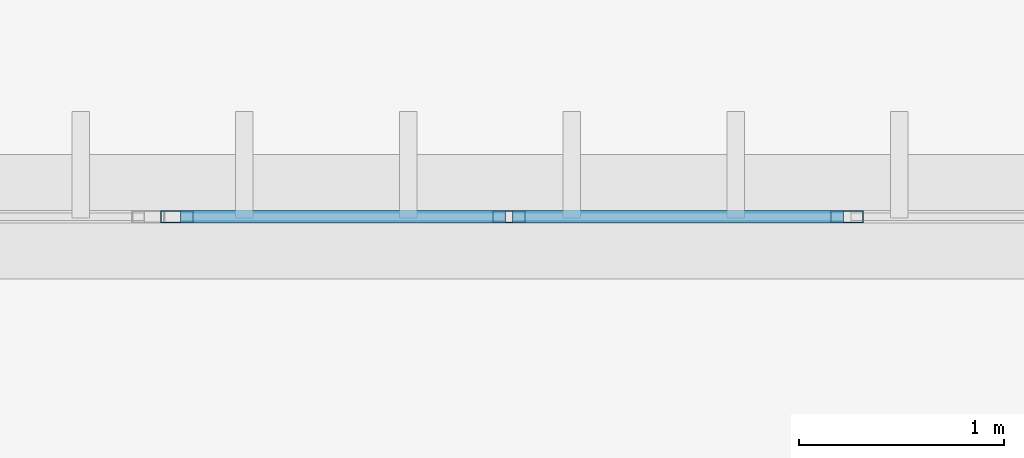
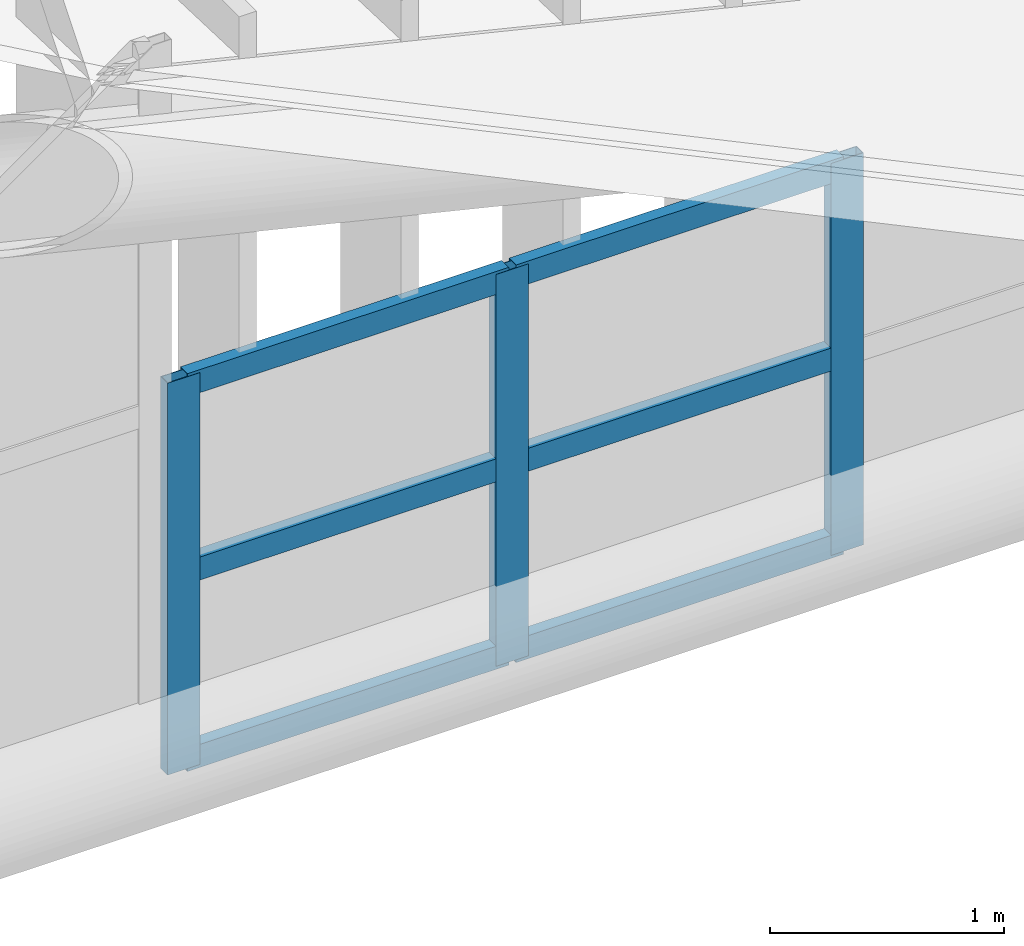
# One storey, part 353 of 397: 9 members, 1 element without a shape of its own.
"""IFC4 building model written with IfcOpenShell, lengths in metres."""

from ifc_helpers import new_model, si_unit, direction, frame, origin, origin_2d, place, context, subcontext, project, spatial, hollow_rectangle, extrude, material, material_profile, profile_set, type_object, element, aggregate, save


model = new_model("IFC4")

# Units and contexts
model_context = context("Model", 3, precision=1e-05, world=origin(), true_north=direction((0.0, 1.0)))
body_context = subcontext(model_context, "Body", "Model", "MODEL_VIEW")
ifc_project = project(units=[si_unit("LENGTHUNIT", "METRE"), si_unit("AREAUNIT", "SQUARE_METRE"), si_unit("VOLUMEUNIT", "CUBIC_METRE"), si_unit("PLANEANGLEUNIT", "RADIAN"), si_unit("MASSUNIT", "GRAM", prefix="KILO")], contexts=[model_context])

# Site, building, storey
site_placement = place(None, origin())
site = spatial("IfcSite", under=ifc_project, at=site_placement, CompositionType="ELEMENT")
building_placement = place(site_placement, origin())
building = spatial("IfcBuilding", under=site, at=building_placement, Name="Qandorah Velis Arena", CompositionType="ELEMENT")
storey_placement = place(building_placement, frame((0.0, 0.0, 27.5)))
storey = spatial("IfcBuildingStorey", under=building, at=storey_placement, Name="RF", CompositionType="ELEMENT", Elevation=27.5)

# Curtain wall, members
ifc_material_1 = material(Name="Solar-control low-E double glazing", Category="glass")
curtain_wall_type = type_object("IfcCurtainWallType", Name="ARC-CW-SYS08", PredefinedType="USERDEFINED", material=ifc_material_1)
curtain_wall_placement = place(storey_placement, origin())
curtain_wall = element("IfcCurtainWall", 1, at=curtain_wall_placement, inside=storey, type_object=curtain_wall_type, Name="Unitised curtain wall CROWN-4-07S2", ObjectType="UNITISED CURTAIN WALL", PredefinedType="USERDEFINED")
ifc_material_2 = material(Name="Champagne-bronze anodized aluminium 6063-T6", Category="aluminium")
ifc_material_profile_1 = material_profile(ifc_material_2, hollow_rectangle(XDim=0.06005859375, YDim=0.159912109375, WallThickness=0.00341796875, at=origin_2d()), Name="ALU MULLION 60x160")
ifc_profile_set_1 = profile_set([ifc_material_profile_1], Name="Champagne-bronze anodized aluminium 6063-T6")
member_type_1 = type_object("IfcMemberType", Name="ARC-CWM-160", PredefinedType="MULLION", material=ifc_profile_set_1)
member_1_placement = place(storey_placement, frame((108.070068359375, 115.199951171875, -0.014892578125), z_axis=(0.0, 0.0, 1.0), x_axis=(0.0, 1.0, 0.0)))
member_1 = element("IfcMember", 2, at=member_1_placement, type_object=member_type_1, Name="CW08 mullion 1", PredefinedType="MULLION", context=body_context, shape_type="SweptSolid", body=[
    extrude(hollow_rectangle(XDim=0.06005859375, YDim=0.159912109375, WallThickness=0.00341796875, at=origin_2d()), origin(), (0.0, 0.0, 1.0), 2.04541015625),
])
member_2_placement = place(storey_placement, frame((109.6923828125, 115.199951171875, -0.014892578125), z_axis=(0.0, 0.0, 1.0), x_axis=(0.0, 1.0, 0.0)))
member_2 = element("IfcMember", 3, at=member_2_placement, type_object=member_type_1, Name="CW08 mullion 2", PredefinedType="MULLION", context=body_context, shape_type="SweptSolid", body=[
    extrude(hollow_rectangle(XDim=0.06005859375, YDim=0.159912109375, WallThickness=0.00341796875, at=origin_2d()), origin(), (0.0, 0.0, 1.0), 2.04541015625),
])
member_3_placement = place(storey_placement, frame((111.344970703125, 115.199951171875, -0.014892578125), z_axis=(0.0, 0.0, 1.0), x_axis=(0.0, 1.0, 0.0)))
member_3 = element("IfcMember", 4, at=member_3_placement, type_object=member_type_1, Name="CW08 mullion 3", PredefinedType="MULLION", context=body_context, shape_type="SweptSolid", body=[
    extrude(hollow_rectangle(XDim=0.06005859375, YDim=0.159912109375, WallThickness=0.00341796875, at=origin_2d()), origin(), (0.0, 0.0, 1.0), 2.04541015625),
])
ifc_material_profile_2 = material_profile(ifc_material_2, hollow_rectangle(XDim=0.06005859375, YDim=0.1201171875, WallThickness=0.0029296875, at=origin_2d()), Name="ALU TRANSOM 60x120")
ifc_profile_set_2 = profile_set([ifc_material_profile_2], Name="Champagne-bronze anodized aluminium 6063-T6")
member_type_2 = type_object("IfcMemberType", Name="ARC-CWT-120", PredefinedType="USERDEFINED", material=ifc_profile_set_2)
member_4_placement = place(storey_placement, frame((108.087890625, 115.199951171875, 0.030029296875), z_axis=(1.0, 0.0, 0.0), x_axis=(0.0, 1.0, 0.0)))
member_4 = element("IfcMember", 5, at=member_4_placement, type_object=member_type_2, Name="CW08 transom 1.1", ObjectType="TRANSOM", PredefinedType="USERDEFINED", context=body_context, shape_type="SweptSolid", body=[
    extrude(hollow_rectangle(XDim=0.06005859375, YDim=0.1201171875, WallThickness=0.0029296875, at=origin_2d()), origin(), (0.0, 0.0, 1.0), 1.586669921875),
])
member_5_placement = place(storey_placement, frame((108.087890625, 115.199951171875, 1.0078125), z_axis=(1.0, 0.0, 0.0), x_axis=(0.0, 1.0, 0.0)))
member_5 = element("IfcMember", 6, at=member_5_placement, type_object=member_type_2, Name="CW08 transom 1.2", ObjectType="TRANSOM", PredefinedType="USERDEFINED", context=body_context, shape_type="SweptSolid", body=[
    extrude(hollow_rectangle(XDim=0.06005859375, YDim=0.1201171875, WallThickness=0.0029296875, at=origin_2d()), origin(), (0.0, 0.0, 1.0), 1.586669921875),
])
member_6_placement = place(storey_placement, frame((108.087890625, 115.199951171875, 1.985595703125), z_axis=(1.0, 0.0, 0.0), x_axis=(0.0, 1.0, 0.0)))
member_6 = element("IfcMember", 7, at=member_6_placement, type_object=member_type_2, Name="CW08 transom 1.3", ObjectType="TRANSOM", PredefinedType="USERDEFINED", context=body_context, shape_type="SweptSolid", body=[
    extrude(hollow_rectangle(XDim=0.06005859375, YDim=0.1201171875, WallThickness=0.0029296875, at=origin_2d()), origin(), (0.0, 0.0, 1.0), 1.586669921875),
])
member_7_placement = place(storey_placement, frame((109.71044921875, 115.199951171875, 0.030029296875), z_axis=(1.0, 0.0, 0.0), x_axis=(0.0, 1.0, 0.0)))
member_7 = element("IfcMember", 8, at=member_7_placement, type_object=member_type_2, Name="CW08 transom 2.1", ObjectType="TRANSOM", PredefinedType="USERDEFINED", context=body_context, shape_type="SweptSolid", body=[
    extrude(hollow_rectangle(XDim=0.06005859375, YDim=0.1201171875, WallThickness=0.0029296875, at=origin_2d()), origin(), (0.0, 0.0, 1.0), 1.616455078125),
])
member_8_placement = place(storey_placement, frame((109.71044921875, 115.199951171875, 1.0078125), z_axis=(1.0, 0.0, 0.0), x_axis=(0.0, 1.0, 0.0)))
member_8 = element("IfcMember", 9, at=member_8_placement, type_object=member_type_2, Name="CW08 transom 2.2", ObjectType="TRANSOM", PredefinedType="USERDEFINED", context=body_context, shape_type="SweptSolid", body=[
    extrude(hollow_rectangle(XDim=0.06005859375, YDim=0.1201171875, WallThickness=0.0029296875, at=origin_2d()), origin(), (0.0, 0.0, 1.0), 1.616455078125),
])
member_9_placement = place(storey_placement, frame((109.71044921875, 115.199951171875, 1.985595703125), z_axis=(1.0, 0.0, 0.0), x_axis=(0.0, 1.0, 0.0)))
member_9 = element("IfcMember", 10, at=member_9_placement, type_object=member_type_2, Name="CW08 transom 2.3", ObjectType="TRANSOM", PredefinedType="USERDEFINED", context=body_context, shape_type="SweptSolid", body=[
    extrude(hollow_rectangle(XDim=0.06005859375, YDim=0.1201171875, WallThickness=0.0029296875, at=origin_2d()), origin(), (0.0, 0.0, 1.0), 1.616455078125),
])
aggregate(curtain_wall, [member_1, member_2, member_3, member_4, member_5, member_6, member_7, member_8, member_9])

save(model, "model.ifc")
